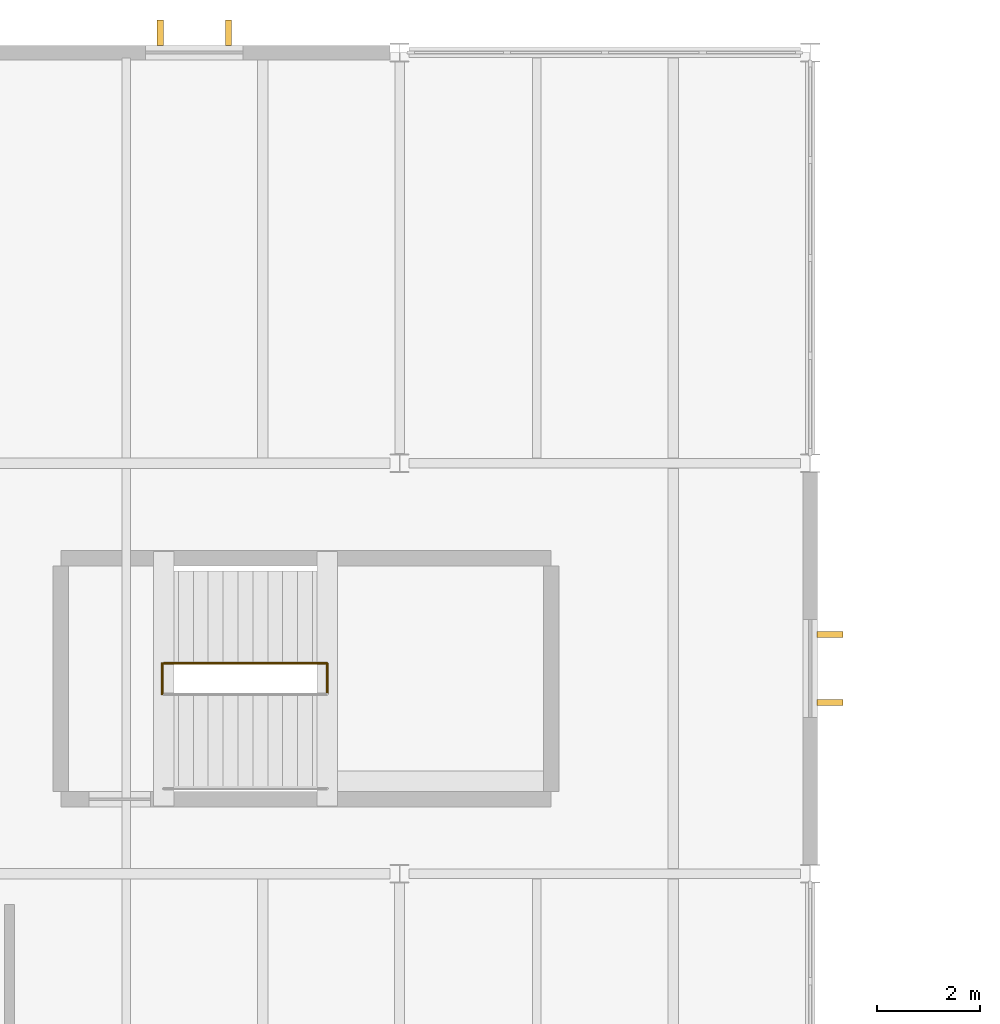
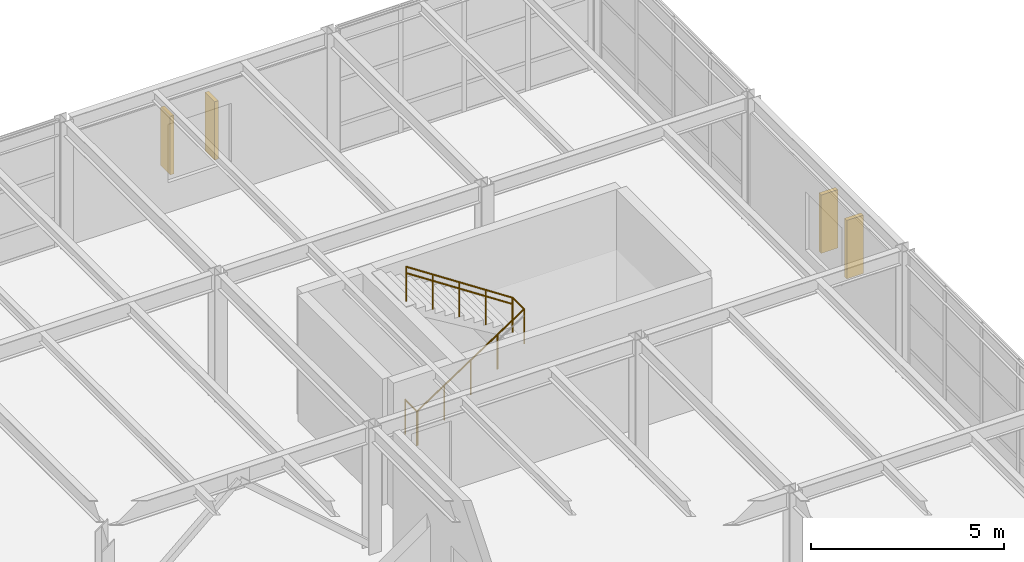
# One storey, part 49 of 50: 4 railings, 4 shading devices.
"""IFC4 building model written with IfcOpenShell, lengths in metres."""

from ifc_helpers import new_model, si_unit, direction, frame, origin, origin_2d, place, context, subcontext, project, spatial, rectangle, circle, extrude, material, type_object, element, save


model = new_model("IFC4")

# Units and contexts
model_context = context("Model", 3, precision=1e-05, world=origin(), true_north=direction((0.0, 1.0)))
body_context = subcontext(model_context, "Body", "Model", "MODEL_VIEW")
ifc_project = project(units=[si_unit("LENGTHUNIT", "METRE"), si_unit("AREAUNIT", "SQUARE_METRE"), si_unit("VOLUMEUNIT", "CUBIC_METRE"), si_unit("PLANEANGLEUNIT", "RADIAN"), si_unit("MASSUNIT", "GRAM", prefix="KILO")], contexts=[model_context])

# Site, building, storey
site_placement = place(None, origin())
site = spatial("IfcSite", under=ifc_project, at=site_placement, CompositionType="ELEMENT")
building_placement = place(site_placement, origin())
building = spatial("IfcBuilding", under=site, at=building_placement, Name="Varnela Railside Interchange", CompositionType="ELEMENT")
storey_placement = place(building_placement, frame((0.0, 0.0, 15.39990234375)))
storey = spatial("IfcBuildingStorey", under=building, at=storey_placement, Name="L03", CompositionType="ELEMENT", Elevation=15.39990234375)

# Shading devices
ifc_material_1 = material(Name="Concrete C40 precast", Category="concrete")
shading_device_type = type_object("IfcShadingDeviceType", Name="Paulista Vertical Brise-Soleil BS-01", PredefinedType="USERDEFINED", material=ifc_material_1)
for number, where, z_axis, x_axis, name in (
    (1, (39.3349609375, 94.385009765625, 0.949951171875), (0.0, 0.0, 1.0), (0.0, 1.0, 0.0), "Paulista Vertical Brise-Soleil BS-01 (L03)"),
    (2, (40.6650390625, 94.385009765625, 0.949951171875), (0.0, 0.0, 1.0), (0.0, 1.0, 0.0), "Paulista Vertical Brise-Soleil BS-01 (L03)"),
    (3, (52.385009765625, 82.6650390625, 0.949951171875), (0.0, 0.0, 1.0), (1.0, 0.0, 0.0), "Paulista Vertical Brise-Soleil BS-01 (L03)"),
    (4, (52.385009765625, 81.3349609375, 0.949951171875), (0.0, 0.0, 1.0), (1.0, 0.0, 0.0), "Paulista Vertical Brise-Soleil BS-01 (L03)"),
):
    element("IfcShadingDevice", number, at=place(storey_placement, frame(where, z_axis=z_axis, x_axis=x_axis)), inside=storey, type_object=shading_device_type, Name=name, ObjectType="FIN", PredefinedType="USERDEFINED", context=body_context, shape_type="SweptSolid", body=[
        extrude(rectangle(XDim=0.5, YDim=0.1201171875, at=origin_2d()), origin(), (0.0, 0.0, 1.0), 1.85009765625),
    ])

# Railings
ifc_material_2 = material(Name="Steel AR 350 (350 MPa)", Category="steel")
railing_type_1 = type_object("IfcRailingType", Name="Stair & Ramp Pitch Handrail HR-01", PredefinedType="HANDRAIL", material=ifc_material_2)
railing_1_placement = place(storey_placement, frame((42.590087890625, 82.10009765625, 2.10009765625)))
element("IfcRailing", 5, at=railing_1_placement, inside=storey, type_object=railing_type_1, Name="Stair Handrail ST-W1 Flight 2 (RL-0403)", PredefinedType="HANDRAIL", context=body_context, shape_type="SweptSolid", body=[
    extrude(circle(Radius=0.02392578125, at=origin_2d()), frame((0.0, 0.0, 0.89599609375), z_axis=(-0.835261802243, 0.0, 0.549852454495), x_axis=(0.0, -1.0, 0.0)), (0.0, 0.0, 1.0), 3.8193359375),
    extrude(circle(Radius=0.02099609375, at=origin_2d()), origin(), (0.0, 0.0, 1.0), 0.871826171875),
    extrude(circle(Radius=0.02099609375, at=origin_2d()), frame((-0.797607421875, 0.0, 0.52490234375)), (0.0, 0.0, 1.0), 0.871826171875),
    extrude(circle(Radius=0.02099609375, at=origin_2d()), frame((-1.59521484375, 0.0, 1.050048828125)), (0.0, 0.0, 1.0), 0.871826171875),
    extrude(circle(Radius=0.02099609375, at=origin_2d()), frame((-2.392578125, 0.0, 1.5751953125)), (0.0, 0.0, 1.0), 0.871826171875),
    extrude(circle(Radius=0.02099609375, at=origin_2d()), frame((-3.190185546875, 0.0, 2.10009765625)), (0.0, 0.0, 1.0), 0.871826171875),
])
railing_type_2 = type_object("IfcRailingType", Name="Stair Well & Landing Guard GR-02", PredefinedType="GUARDRAIL", material=ifc_material_2)
railing_2_placement = place(storey_placement, frame((39.3701171875, 81.5, 0.0)))
element("IfcRailing", 6, at=railing_2_placement, inside=storey, type_object=railing_type_2, Name="Stair Well Slot Guard ST-W1 on L03 (RL-0391)", PredefinedType="GUARDRAIL", context=body_context, shape_type="SweptSolid", body=[
    extrude(circle(Radius=0.02392578125, at=origin_2d()), frame((0.0, 0.0, 1.09619140625), z_axis=(0.0, 1.0, 0.0), x_axis=(-1.0, 0.0, 0.0)), (0.0, 0.0, 1.0), 0.60009765625),
    extrude(circle(Radius=0.02099609375, at=origin_2d()), origin(), (0.0, 0.0, 1.0), 1.072021484375),
    extrude(circle(Radius=0.02099609375, at=origin_2d()), frame((0.0, 0.60009765625, 0.0)), (0.0, 0.0, 1.0), 1.072021484375),
])
railing_3_placement = place(storey_placement, frame((39.39990234375, 81.5, 0.0)))
element("IfcRailing", 7, at=railing_3_placement, inside=storey, type_object=railing_type_2, Name="Stair Guard ST-W1 Half-Landing (RL-0389)", PredefinedType="GUARDRAIL", context=body_context, shape_type="SweptSolid", body=[
    extrude(circle(Radius=0.02392578125, at=origin_2d()), frame((0.0, 0.0, 1.09619140625), z_axis=(0.835261802243, 0.0, 0.549852454495), x_axis=(0.0, 1.0, 0.0)), (0.0, 0.0, 1.0), 3.8193359375),
    extrude(circle(Radius=0.02392578125, at=origin_2d()), frame((3.190185546875, 0.0, 3.1962890625), z_axis=(0.0, 1.0, 0.0), x_axis=(-1.0, 0.0, 0.0)), (0.0, 0.0, 1.0), 0.60009765625),
    extrude(circle(Radius=0.02099609375, at=origin_2d()), origin(), (0.0, 0.0, 1.0), 1.072021484375),
    extrude(circle(Radius=0.02099609375, at=origin_2d()), frame((0.797607421875, 0.0, 0.52490234375)), (0.0, 0.0, 1.0), 1.072021484375),
    extrude(circle(Radius=0.02099609375, at=origin_2d()), frame((1.59521484375, 0.0, 1.050048828125)), (0.0, 0.0, 1.0), 1.072021484375),
    extrude(circle(Radius=0.02099609375, at=origin_2d()), frame((2.392578125, 0.0, 1.5751953125)), (0.0, 0.0, 1.0), 1.072021484375),
    extrude(circle(Radius=0.02099609375, at=origin_2d()), frame((3.190185546875, 0.0, 2.10009765625)), (0.0, 0.0, 1.0), 1.072021484375),
    extrude(circle(Radius=0.02099609375, at=origin_2d()), frame((3.190185546875, 0.60009765625, 2.10009765625)), (0.0, 0.0, 1.0), 1.072021484375),
])
railing_4_placement = place(storey_placement, frame((42.590087890625, 82.10009765625, 2.10009765625)))
element("IfcRailing", 8, at=railing_4_placement, inside=storey, type_object=railing_type_2, Name="Stair Guard ST-W1 Upper Flight (RL-0390)", PredefinedType="GUARDRAIL", context=body_context, shape_type="SweptSolid", body=[
    extrude(circle(Radius=0.02392578125, at=origin_2d()), frame((0.0, 0.0, 1.09619140625), z_axis=(-0.835261802243, 0.0, 0.549852454495), x_axis=(0.0, -1.0, 0.0)), (0.0, 0.0, 1.0), 3.8193359375),
    extrude(circle(Radius=0.02099609375, at=origin_2d()), origin(), (0.0, 0.0, 1.0), 1.072021484375),
    extrude(circle(Radius=0.02099609375, at=origin_2d()), frame((-0.797607421875, 0.0, 0.52490234375)), (0.0, 0.0, 1.0), 1.072021484375),
    extrude(circle(Radius=0.02099609375, at=origin_2d()), frame((-1.59521484375, 0.0, 1.050048828125)), (0.0, 0.0, 1.0), 1.072021484375),
    extrude(circle(Radius=0.02099609375, at=origin_2d()), frame((-2.392578125, 0.0, 1.5751953125)), (0.0, 0.0, 1.0), 1.072021484375),
    extrude(circle(Radius=0.02099609375, at=origin_2d()), frame((-3.190185546875, 0.0, 2.10009765625)), (0.0, 0.0, 1.0), 1.072021484375),
])

save(model, "model.ifc")
